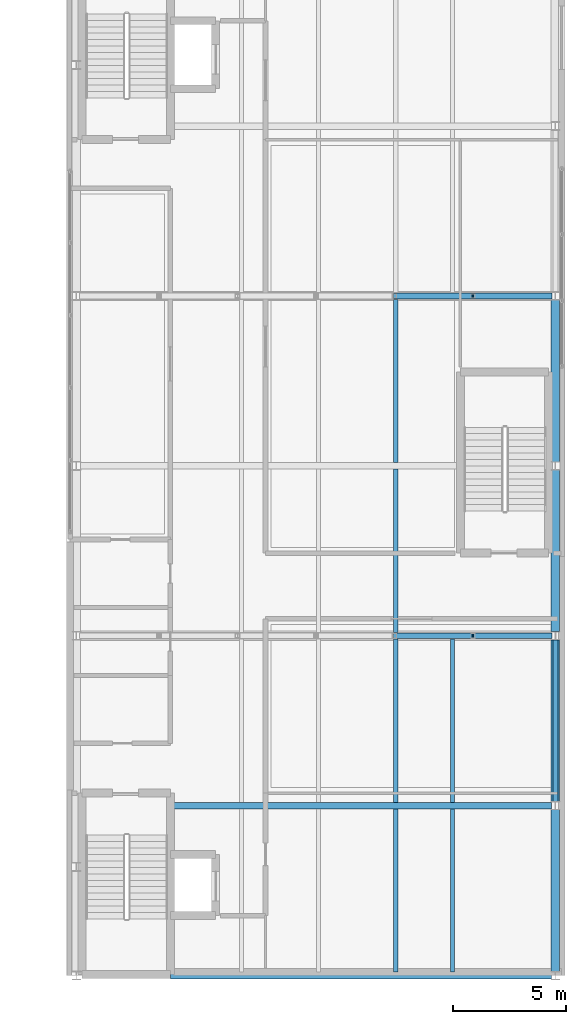
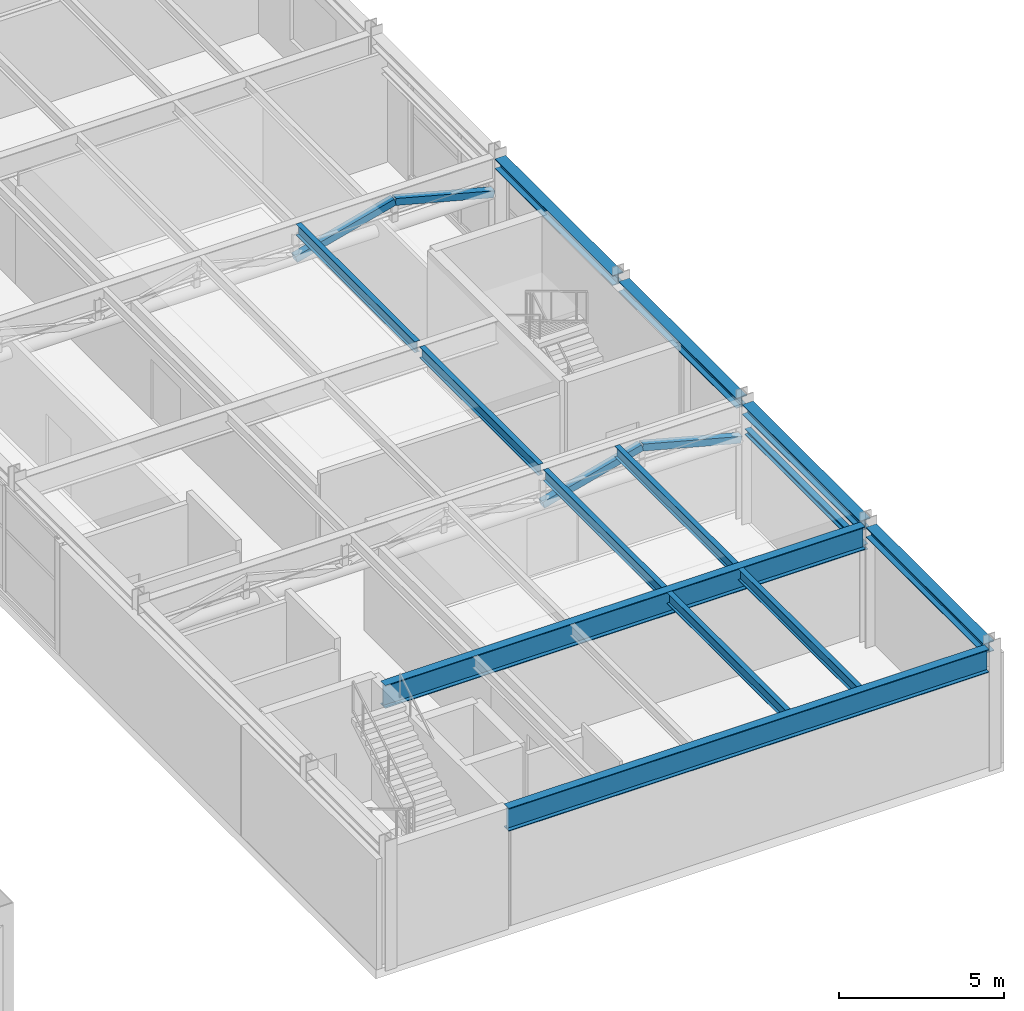
# One storey, part 16 of 29: 13 beams, 4 members.
"""IFC4 building model written with IfcOpenShell, lengths in metres."""

from ifc_helpers import new_model, si_unit, direction, frame, origin, origin_2d, place, context, subcontext, project, spatial, hollow_rectangle, i_section, extrude, material, material_profile, profile_set, type_object, element, save


model = new_model("IFC4")

# Units and contexts
model_context = context("Model", 3, precision=1e-05, world=origin(), true_north=direction((0.0, 1.0)))
body_context = subcontext(model_context, "Body", "Model", "MODEL_VIEW")
ifc_project = project(units=[si_unit("LENGTHUNIT", "METRE"), si_unit("AREAUNIT", "SQUARE_METRE"), si_unit("VOLUMEUNIT", "CUBIC_METRE"), si_unit("PLANEANGLEUNIT", "RADIAN"), si_unit("MASSUNIT", "GRAM", prefix="KILO")], contexts=[model_context])

# Site, building, storey
site_placement = place(None, origin())
site = spatial("IfcSite", under=ifc_project, at=site_placement, CompositionType="ELEMENT")
building_placement = place(site_placement, origin())
building = spatial("IfcBuilding", under=site, at=building_placement, Name="Mersakhor Tower and Convention Hall", CompositionType="ELEMENT")
storey_placement = place(building_placement, frame((0.0, 0.0, 9.60009765625)))
storey = spatial("IfcBuildingStorey", under=building, at=storey_placement, Name="L02", CompositionType="ELEMENT", Elevation=9.60009765625)

# Beams
ifc_material_1 = material(Name="Steel S355", Category="steel")
ifc_material_profile_1 = material_profile(ifc_material_1, i_section(OverallWidth=0.1787109375, OverallDepth=0.409423828125, WebThickness=0.0087890625, FlangeThickness=0.014404296875, at=origin_2d()), Name="UB 406x178x67")
ifc_profile_set_1 = profile_set([ifc_material_profile_1], Name="Steel S355")
beam_type_1 = type_object("IfcBeamType", Name="BM-JST-406", PredefinedType="JOIST", material=ifc_profile_set_1)
for number, where, z_axis, x_axis, name in (
    (1, (69.60009765625, 3.39697265625, 4.275146484375), (0.0, 1.0, 0.0), (-1.0, 0.0, 0.0), "Convention L02 Composite Floor Joist CJ-1-69"),
    (2, (72.10009765625, 3.39697265625, 4.275146484375), (0.0, 1.0, 0.0), (-1.0, 0.0, 0.0), "Convention L02 Composite Floor Joist CJ-1-72"),
    (3, (69.60009765625, 10.89697265625, 4.275146484375), (0.0, 1.0, 0.0), (-1.0, 0.0, 0.0), "Convention L02 Composite Floor Joist CJ-2-69"),
    (4, (72.10009765625, 10.89697265625, 4.275146484375), (0.0, 1.0, 0.0), (-1.0, 0.0, 0.0), "Convention L02 Composite Floor Joist CJ-2-72"),
    (5, (69.60009765625, 18.39697265625, 4.275146484375), (0.0, 1.0, 0.0), (-1.0, 0.0, 0.0), "Convention L02 Composite Floor Joist CJ-3-69"),
    (6, (69.60009765625, 25.89697265625, 4.275146484375), (0.0, 1.0, 0.0), (-1.0, 0.0, 0.0), "Convention L02 Composite Floor Joist CJ-4-69"),
):
    element("IfcBeam", number, at=place(storey_placement, frame(where, z_axis=z_axis, x_axis=x_axis)), inside=storey, type_object=beam_type_1, Name=name, PredefinedType="JOIST", context=body_context, shape_type="SweptSolid", body=[
        extrude(i_section(OverallWidth=0.1787109375, OverallDepth=0.409423828125, WebThickness=0.0087890625, FlangeThickness=0.014404296875, at=origin_2d()), origin(), (0.0, 0.0, 1.0), 7.2060546875),
    ])
ifc_material_2 = material(Name="Steel S355", Category="steel")
ifc_material_profile_2 = material_profile(ifc_material_2, i_section(OverallWidth=0.205810546875, OverallDepth=0.209716796875, WebThickness=0.009521484375, FlangeThickness=0.01416015625, at=origin_2d()), Name="UC 203x203x60")
ifc_profile_set_2 = profile_set([ifc_material_profile_2], Name="Steel S355")
beam_type_2 = type_object("IfcBeamType", Name="BM-LNT-UC203", PredefinedType="LINTEL", material=ifc_profile_set_2)
beam_placement = place(storey_placement, frame((76.64990234375, 10.929931640625, 3.449951171875), z_axis=(0.0, 1.0, 0.0), x_axis=(-1.0, 0.0, 0.0)))
element("IfcBeam", 7, at=beam_placement, inside=storey, type_object=beam_type_2, Name="Convention L02 Opening Lintel Beam LNT-2", PredefinedType="LINTEL", context=body_context, shape_type="SweptSolid", body=[
    extrude(i_section(OverallWidth=0.205810546875, OverallDepth=0.209716796875, WebThickness=0.009521484375, FlangeThickness=0.01416015625, at=origin_2d()), origin(), (0.0, 0.0, 1.0), 7.14013671875),
])
ifc_material_3 = material(Name="Steel S355", Category="steel")
ifc_material_profile_3 = material_profile(ifc_material_3, i_section(OverallWidth=0.293701171875, OverallDepth=0.850830078125, WebThickness=0.01611328125, FlangeThickness=0.02685546875, at=origin_2d()), Name="UB 838x292x226")
ifc_profile_set_3 = profile_set([ifc_material_profile_3], Name="Steel S355")
beam_type_3 = type_object("IfcBeamType", Name="BM-PR-838", PredefinedType="BEAM", material=ifc_profile_set_3)
for number, where, z_axis, x_axis, name in (
    (8, (59.64990234375, 3.25, 4.054443359375), (1.0, 0.0, 0.0), (0.0, 1.0, 0.0), "Convention L02 Clear-Span Girder CG-1"),
    (9, (59.64990234375, 10.75, 4.054443359375), (1.0, 0.0, 0.0), (0.0, 1.0, 0.0), "Convention L02 Clear-Span Girder CG-2"),
):
    element("IfcBeam", number, at=place(storey_placement, frame(where, z_axis=z_axis, x_axis=x_axis)), inside=storey, type_object=beam_type_3, Name=name, PredefinedType="BEAM", context=body_context, shape_type="SweptSolid", body=[
        extrude(i_section(OverallWidth=0.293701171875, OverallDepth=0.850830078125, WebThickness=0.01611328125, FlangeThickness=0.02685546875, at=origin_2d()), origin(), (0.0, 0.0, 1.0), 16.820068359375),
    ])
ifc_material_4 = material(Name="Steel S355", Category="steel")
ifc_material_profile_4 = material_profile(ifc_material_4, i_section(OverallWidth=0.374755859375, OverallDepth=0.37451171875, WebThickness=0.0166015625, FlangeThickness=0.027099609375, at=origin_2d()), Name="UC 356x368x202")
ifc_profile_set_4 = profile_set([ifc_material_profile_4], Name="Steel S355")
beam_type_4 = type_object("IfcBeamType", Name="BM-SPD-UC356", PredefinedType="SPANDREL", material=ifc_profile_set_4)
for number, where, z_axis, x_axis, name in (
    (10, (76.64990234375, 3.429931640625, 4.29296875), (0.0, 1.0, 0.0), (-1.0, 0.0, 0.0), "Convention L02 Edge Spandrel E1"),
    (11, (76.64990234375, 10.929931640625, 4.29296875), (0.0, 1.0, 0.0), (-1.0, 0.0, 0.0), "Convention L02 Edge Spandrel E2"),
    (12, (76.64990234375, 18.429931640625, 4.29296875), (0.0, 1.0, 0.0), (-1.0, 0.0, 0.0), "Convention L02 Edge Spandrel E3"),
    (13, (76.64990234375, 25.929931640625, 4.29296875), (0.0, 1.0, 0.0), (-1.0, 0.0, 0.0), "Convention L02 Edge Spandrel E4"),
):
    element("IfcBeam", number, at=place(storey_placement, frame(where, z_axis=z_axis, x_axis=x_axis)), inside=storey, type_object=beam_type_4, Name=name, PredefinedType="SPANDREL", context=body_context, shape_type="SweptSolid", body=[
        extrude(i_section(OverallWidth=0.374755859375, OverallDepth=0.37451171875, WebThickness=0.0166015625, FlangeThickness=0.027099609375, at=origin_2d()), origin(), (0.0, 0.0, 1.0), 7.14013671875),
    ])

# Members
ifc_material_5 = material(Name="Steel S355", Category="steel")
ifc_material_profile_5 = material_profile(ifc_material_5, hollow_rectangle(XDim=0.25, YDim=0.25, WallThickness=0.01611328125, at=origin_2d()), Name="SHS 250x250x16")
ifc_profile_set_5 = profile_set([ifc_material_profile_5], Name="Steel S355")
member_type = type_object("IfcMemberType", Name="MB-BRC-SHS250", PredefinedType="BRACE", material=ifc_profile_set_5)
member_1_placement = place(storey_placement, frame((69.5400390625, 18.25, 3.1298828125), z_axis=(0.966193118341, 0.0, 0.257819429196), x_axis=(0.0, 1.0, 0.0)))
element("IfcMember", 14, at=member_1_placement, inside=storey, type_object=member_type, Name="Convention L02 Truss Web Diagonal TD-3-5", PredefinedType="BRACE", context=body_context, shape_type="SweptSolid", body=[
    extrude(hollow_rectangle(XDim=0.25, YDim=0.25, WallThickness=0.01611328125, at=origin_2d()), origin(), (0.0, 0.0, 1.0), 3.586181640625),
])
member_2_placement = place(storey_placement, frame((73.0048828125, 18.25, 4.054443359375), z_axis=(0.966197643238, 0.0, -0.257802471285), x_axis=(0.0, 1.0, 0.0)))
element("IfcMember", 15, at=member_2_placement, inside=storey, type_object=member_type, Name="Convention L02 Truss Web Diagonal TD-3-6", PredefinedType="BRACE", context=body_context, shape_type="SweptSolid", body=[
    extrude(hollow_rectangle(XDim=0.25, YDim=0.25, WallThickness=0.01611328125, at=origin_2d()), origin(), (0.0, 0.0, 1.0), 3.58642578125),
])
member_3_placement = place(storey_placement, frame((69.5400390625, 33.25, 3.1298828125), z_axis=(0.966193118341, 0.0, 0.257819429196), x_axis=(0.0, 1.0, 0.0)))
element("IfcMember", 16, at=member_3_placement, inside=storey, type_object=member_type, Name="Convention L02 Truss Web Diagonal TD-5-5", PredefinedType="BRACE", context=body_context, shape_type="SweptSolid", body=[
    extrude(hollow_rectangle(XDim=0.25, YDim=0.25, WallThickness=0.01611328125, at=origin_2d()), origin(), (0.0, 0.0, 1.0), 3.586181640625),
])
member_4_placement = place(storey_placement, frame((73.0048828125, 33.25, 4.054443359375), z_axis=(0.966197643238, 0.0, -0.257802471285), x_axis=(0.0, 1.0, 0.0)))
element("IfcMember", 17, at=member_4_placement, inside=storey, type_object=member_type, Name="Convention L02 Truss Web Diagonal TD-5-6", PredefinedType="BRACE", context=body_context, shape_type="SweptSolid", body=[
    extrude(hollow_rectangle(XDim=0.25, YDim=0.25, WallThickness=0.01611328125, at=origin_2d()), origin(), (0.0, 0.0, 1.0), 3.58642578125),
])

save(model, "model.ifc")
